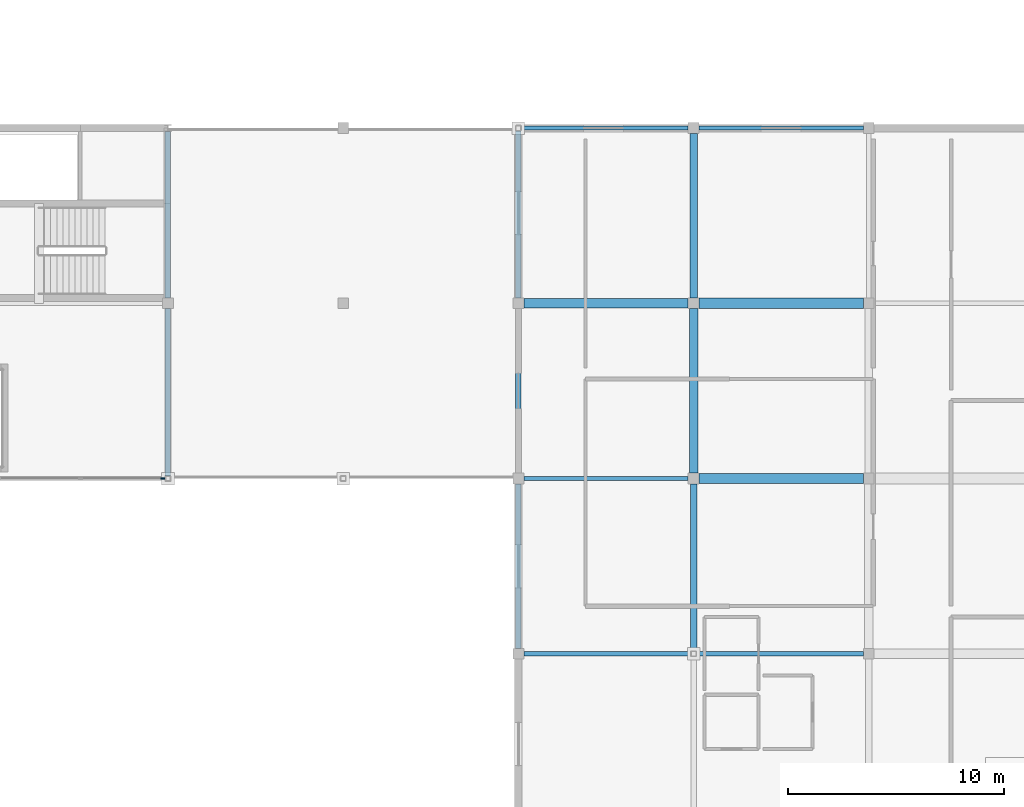
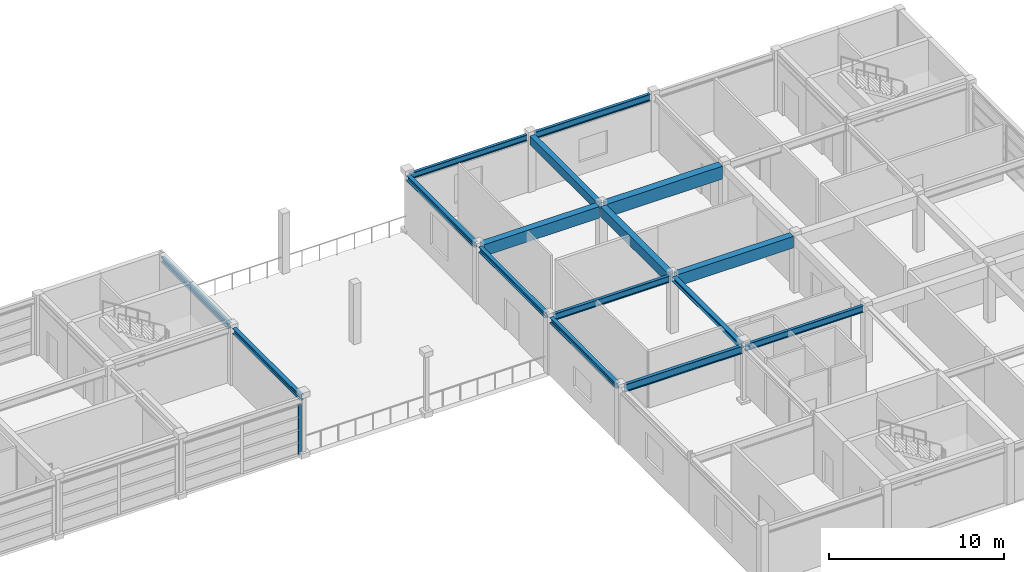
# One storey, part 32 of 54: 16 beams, 1 member, 1 element without a shape of its own.
"""IFC4 building model written with IfcOpenShell, lengths in metres."""

from ifc_helpers import new_model, si_unit, direction, frame, origin, origin_2d, place, context, subcontext, project, spatial, rectangle, i_section, extrude, material, material_profile, profile_set, type_object, element, aggregate, save


model = new_model("IFC4")

# Units and contexts
model_context = context("Model", 3, precision=1e-05, world=origin(), true_north=direction((0.0, 1.0)))
body_context = subcontext(model_context, "Body", "Model", "MODEL_VIEW")
ifc_project = project(units=[si_unit("LENGTHUNIT", "METRE"), si_unit("AREAUNIT", "SQUARE_METRE"), si_unit("VOLUMEUNIT", "CUBIC_METRE"), si_unit("PLANEANGLEUNIT", "RADIAN"), si_unit("MASSUNIT", "GRAM", prefix="KILO")], contexts=[model_context])

# Site, building, storey
site_placement = place(None, origin())
site = spatial("IfcSite", under=ifc_project, at=site_placement, CompositionType="ELEMENT")
building_placement = place(site_placement, origin())
building = spatial("IfcBuilding", under=site, at=building_placement, Name="Parian Resonance Hall", CompositionType="ELEMENT")
storey_placement = place(building_placement, frame((0.0, 0.0, 15.0)))
storey = spatial("IfcBuildingStorey", under=building, at=storey_placement, Name="L03", CompositionType="ELEMENT", Elevation=15.0)

# Beams
ifc_material_1 = material(Name="Concrete C40/50", Category="concrete")
ifc_material_profile_1 = material_profile(ifc_material_1, rectangle(XDim=0.35009765625, YDim=0.60009765625, at=origin_2d()), Name="RC-BM-350x600")
ifc_profile_set_1 = profile_set([ifc_material_profile_1], Name="Concrete C40/50")
beam_type_1 = type_object("IfcBeamType", Name="BM-RC350x600", PredefinedType="BEAM", material=ifc_profile_set_1)
beam_1_placement = place(storey_placement, frame((121.5, 81.25, 3.64990234375), z_axis=(0.0, 1.0, 0.0), x_axis=(-1.0, 0.0, 0.0)))
element("IfcBeam", 1, at=beam_1_placement, inside=storey, type_object=beam_type_1, Name="GY-L03-0900", PredefinedType="BEAM", context=body_context, shape_type="SweptSolid", body=[
    extrude(rectangle(XDim=0.35009765625, YDim=0.60009765625, at=origin_2d()), origin(), (0.0, 0.0, 1.0), 7.60009765625),
])
ifc_material_2 = material(Name="Concrete C40/50", Category="concrete")
ifc_material_profile_2 = material_profile(ifc_material_2, rectangle(XDim=0.39990234375, YDim=0.699951171875, at=origin_2d()), Name="RC-BM-400x700")
ifc_profile_set_2 = profile_set([ifc_material_profile_2], Name="Concrete C40/50")
beam_type_2 = type_object("IfcBeamType", Name="BM-RC400x700", PredefinedType="BEAM", material=ifc_profile_set_2)
beam_2_placement = place(storey_placement, frame((121.5, 73.14990234375, 3.60009765625), z_axis=(0.0, 1.0, 0.0), x_axis=(-1.0, 0.0, 0.0)))
element("IfcBeam", 2, at=beam_2_placement, inside=storey, type_object=beam_type_2, Name="GY-L03-0899", PredefinedType="BEAM", context=body_context, shape_type="SweptSolid", body=[
    extrude(rectangle(XDim=0.39990234375, YDim=0.699951171875, at=origin_2d()), origin(), (0.0, 0.0, 1.0), 7.60009765625),
])
ifc_material_3 = material(Name="Concrete C40/50", Category="concrete")
ifc_material_profile_3 = material_profile(ifc_material_3, rectangle(XDim=0.449951171875, YDim=0.800048828125, at=origin_2d()), Name="RC-BM-450x800")
ifc_profile_set_3 = profile_set([ifc_material_profile_3], Name="Concrete C40/50")
beam_type_3 = type_object("IfcBeamType", Name="BM-RC450x800", PredefinedType="USERDEFINED", material=ifc_profile_set_3)
for number, where, z_axis, x_axis, name in (
    (3, (113.64990234375, 81.0, 3.550048828125), (1.0, 0.0, 0.0), (0.0, 1.0, 0.0), "GX-L03-0844"),
    (4, (121.75, 72.89990234375, 3.550048828125), (1.0, 0.0, 0.0), (0.0, 1.0, 0.0), "GX-L03-0849"),
):
    element("IfcBeam", number, at=place(storey_placement, frame(where, z_axis=z_axis, x_axis=x_axis)), inside=storey, type_object=beam_type_3, Name=name, ObjectType="GIRDER", PredefinedType="USERDEFINED", context=body_context, shape_type="SweptSolid", body=[
        extrude(rectangle(XDim=0.449951171875, YDim=0.800048828125, at=origin_2d()), origin(), (0.0, 0.0, 1.0), 7.60009765625),
    ])
ifc_material_4 = material(Name="Concrete C40/50", Category="concrete")
ifc_material_profile_4 = material_profile(ifc_material_4, rectangle(XDim=0.5, YDim=0.89990234375, at=origin_2d()), Name="RC-BM-500x900")
ifc_profile_set_4 = profile_set([ifc_material_profile_4], Name="Concrete C40/50")
beam_type_4 = type_object("IfcBeamType", Name="BM-RC500x900", PredefinedType="USERDEFINED", material=ifc_profile_set_4)
beam_3_placement = place(storey_placement, frame((121.75, 81.0, 3.5), z_axis=(1.0, 0.0, 0.0), x_axis=(0.0, 1.0, 0.0)))
element("IfcBeam", 5, at=beam_3_placement, inside=storey, type_object=beam_type_4, Name="GX-L03-0850", ObjectType="GIRDER", PredefinedType="USERDEFINED", context=body_context, shape_type="SweptSolid", body=[
    extrude(rectangle(XDim=0.5, YDim=0.89990234375, at=origin_2d()), origin(), (0.0, 0.0, 1.0), 7.60009765625),
])
ifc_material_5 = material(Name="Steel S355", Category="steel")
ifc_material_profile_5 = material_profile(ifc_material_5, i_section(OverallWidth=0.304931640625, OverallDepth=0.30810546875, WebThickness=0.010009765625, FlangeThickness=0.015380859375, FilletRadius=0.01513671875, at=origin_2d()), Name="W310x97")
ifc_profile_set_5 = profile_set([ifc_material_profile_5], Name="Steel S355")
beam_type_5 = type_object("IfcBeamType", Name="BM-W310x97", PredefinedType="BEAM", material=ifc_profile_set_5)
beam_4_placement = place(storey_placement, frame((121.5, 64.925048828125, 3.7958984375), z_axis=(0.0, 1.0, 0.0), x_axis=(-1.0, 0.0, 0.0)))
element("IfcBeam", 6, at=beam_4_placement, inside=storey, type_object=beam_type_5, Name="GY-L03-0898", PredefinedType="BEAM", context=body_context, shape_type="SweptSolid", body=[
    extrude(i_section(OverallWidth=0.304931640625, OverallDepth=0.30810546875, WebThickness=0.010009765625, FlangeThickness=0.015380859375, FilletRadius=0.01513671875, at=origin_2d()), origin(), (0.0, 0.0, 1.0), 7.724853515625),
])
ifc_material_6 = material(Name="Steel S355", Category="steel")
ifc_material_profile_6 = material_profile(ifc_material_6, i_section(OverallWidth=0.2548828125, OverallDepth=0.35693359375, WebThickness=0.010498046875, FlangeThickness=0.018310546875, FilletRadius=0.01513671875, at=origin_2d()), Name="W360x101")
ifc_profile_set_6 = profile_set([ifc_material_profile_6], Name="Steel S355")
beam_type_6 = type_object("IfcBeamType", Name="BM-W360x101", PredefinedType="SPANDREL", material=ifc_profile_set_6)
beam_5_placement = place(storey_placement, frame((97.199951171875, 73.02490234375, 3.781494140625), z_axis=(0.0, 1.0, 0.0), x_axis=(-1.0, 0.0, 0.0)))
element("IfcBeam", 7, at=beam_5_placement, inside=storey, type_object=beam_type_6, Name="GY-L03-0889", PredefinedType="SPANDREL", context=body_context, shape_type="SweptSolid", body=[
    extrude(i_section(OverallWidth=0.2548828125, OverallDepth=0.35693359375, WebThickness=0.010498046875, FlangeThickness=0.018310546875, FilletRadius=0.01513671875, at=origin_2d()), origin(), (0.0, 0.0, 1.0), 7.72509765625),
])
beam_6_placement = place(storey_placement, frame((97.199951171875, 81.25, 3.781494140625), z_axis=(0.0, 1.0, 0.0), x_axis=(-1.0, 0.0, 0.0)))
element("IfcBeam", 8, at=beam_6_placement, inside=storey, type_object=beam_type_6, Name="GY-L03-0890", PredefinedType="SPANDREL", context=body_context, shape_type="SweptSolid", body=[
    extrude(i_section(OverallWidth=0.2548828125, OverallDepth=0.35693359375, WebThickness=0.010498046875, FlangeThickness=0.018310546875, FilletRadius=0.01513671875, at=origin_2d()), origin(), (0.0, 0.0, 1.0), 7.696044921875),
])
beam_7_placement = place(storey_placement, frame((113.39990234375, 65.050048828125, 3.771484375), z_axis=(0.0, 1.0, 0.0), x_axis=(-1.0, 0.0, 0.0)))
element("IfcBeam", 9, at=beam_7_placement, inside=storey, type_object=beam_type_6, Name="GY-L03-0893", PredefinedType="SPANDREL", context=body_context, shape_type="SweptSolid", body=[
    extrude(i_section(OverallWidth=0.2548828125, OverallDepth=0.35693359375, WebThickness=0.010498046875, FlangeThickness=0.018310546875, FilletRadius=0.01513671875, at=origin_2d()), origin(), (0.0, 0.0, 1.0), 7.599853515625),
])
beam_8_placement = place(storey_placement, frame((113.39990234375, 73.14990234375, 3.771484375), z_axis=(0.0, 1.0, 0.0), x_axis=(-1.0, 0.0, 0.0)))
element("IfcBeam", 10, at=beam_8_placement, inside=storey, type_object=beam_type_6, Name="GY-L03-0894", PredefinedType="SPANDREL", context=body_context, shape_type="SweptSolid", body=[
    extrude(i_section(OverallWidth=0.2548828125, OverallDepth=0.35693359375, WebThickness=0.010498046875, FlangeThickness=0.018310546875, FilletRadius=0.01513671875, at=origin_2d()), origin(), (0.0, 0.0, 1.0), 7.60009765625),
])
beam_9_placement = place(storey_placement, frame((113.39990234375, 81.25, 3.771484375), z_axis=(0.0, 1.0, 0.0), x_axis=(-1.0, 0.0, 0.0)))
element("IfcBeam", 11, at=beam_9_placement, inside=storey, type_object=beam_type_6, Name="GY-L03-0895", PredefinedType="SPANDREL", context=body_context, shape_type="SweptSolid", body=[
    extrude(i_section(OverallWidth=0.2548828125, OverallDepth=0.35693359375, WebThickness=0.010498046875, FlangeThickness=0.018310546875, FilletRadius=0.01513671875, at=origin_2d()), origin(), (0.0, 0.0, 1.0), 7.72509765625),
])
ifc_material_7 = material(Name="Steel S355", Category="steel")
ifc_material_profile_7 = material_profile(ifc_material_7, i_section(OverallWidth=0.180908203125, OverallDepth=0.4169921875, WebThickness=0.010986328125, FlangeThickness=0.018310546875, FilletRadius=0.01513671875, at=origin_2d()), Name="W410x85")
ifc_profile_set_7 = profile_set([ifc_material_profile_7], Name="Steel S355")
beam_type_7 = type_object("IfcBeamType", Name="BM-W410x85", PredefinedType="SPANDREL", material=ifc_profile_set_7)
beam_10_placement = place(storey_placement, frame((113.52490234375, 89.10009765625, 3.741455078125), z_axis=(1.0, 0.0, 0.0), x_axis=(0.0, 1.0, 0.0)))
element("IfcBeam", 12, at=beam_10_placement, inside=storey, type_object=beam_type_7, Name="GX-L03-0845", PredefinedType="SPANDREL", context=body_context, shape_type="SweptSolid", body=[
    extrude(i_section(OverallWidth=0.180908203125, OverallDepth=0.4169921875, WebThickness=0.010986328125, FlangeThickness=0.018310546875, FilletRadius=0.01513671875, at=origin_2d()), origin(), (0.0, 0.0, 1.0), 7.72509765625),
])
ifc_material_8 = material(Name="Steel S355", Category="steel")
ifc_material_profile_8 = material_profile(ifc_material_8, i_section(OverallWidth=0.194091796875, OverallDepth=0.468994140625, WebThickness=0.0126953125, FlangeThickness=0.0205078125, FilletRadius=0.01513671875, at=origin_2d()), Name="W460x106")
ifc_profile_set_8 = profile_set([ifc_material_profile_8], Name="Steel S355")
beam_type_8 = type_object("IfcBeamType", Name="BM-W460x106", PredefinedType="SPANDREL", material=ifc_profile_set_8)
beam_11_placement = place(storey_placement, frame((121.75, 89.10009765625, 3.715576171875), z_axis=(1.0, 0.0, 0.0), x_axis=(0.0, 1.0, 0.0)))
element("IfcBeam", 13, at=beam_11_placement, inside=storey, type_object=beam_type_8, Name="GX-L03-0851", PredefinedType="SPANDREL", context=body_context, shape_type="SweptSolid", body=[
    extrude(i_section(OverallWidth=0.194091796875, OverallDepth=0.468994140625, WebThickness=0.0126953125, FlangeThickness=0.0205078125, FilletRadius=0.01513671875, at=origin_2d()), origin(), (0.0, 0.0, 1.0), 7.60009765625),
])
ifc_material_9 = material(Name="Steel S355", Category="steel")
ifc_material_profile_9 = material_profile(ifc_material_9, i_section(OverallWidth=0.19091796875, OverallDepth=0.4599609375, WebThickness=0.010009765625, FlangeThickness=0.01611328125, FilletRadius=0.01513671875, at=origin_2d()), Name="W460x82")
ifc_profile_set_9 = profile_set([ifc_material_profile_9], Name="Steel S355")
beam_type_9 = type_object("IfcBeamType", Name="BM-W460x82", PredefinedType="BEAM", material=ifc_profile_set_9)
beam_12_placement = place(storey_placement, frame((113.64990234375, 72.89990234375, 3.719970703125), z_axis=(1.0, 0.0, 0.0), x_axis=(0.0, 1.0, 0.0)))
element("IfcBeam", 14, at=beam_12_placement, inside=storey, type_object=beam_type_9, Name="GX-L03-0843", PredefinedType="BEAM", context=body_context, shape_type="SweptSolid", body=[
    extrude(i_section(OverallWidth=0.19091796875, OverallDepth=0.4599609375, WebThickness=0.010009765625, FlangeThickness=0.01611328125, FilletRadius=0.01513671875, at=origin_2d()), origin(), (0.0, 0.0, 1.0), 7.60009765625),
])
beam_13_placement = place(storey_placement, frame((121.625, 64.800048828125, 3.719970703125), z_axis=(1.0, 0.0, 0.0), x_axis=(0.0, 1.0, 0.0)))
element("IfcBeam", 15, at=beam_13_placement, inside=storey, type_object=beam_type_9, Name="GX-L03-0848", PredefinedType="BEAM", context=body_context, shape_type="SweptSolid", body=[
    extrude(i_section(OverallWidth=0.19091796875, OverallDepth=0.4599609375, WebThickness=0.010009765625, FlangeThickness=0.01611328125, FilletRadius=0.01513671875, at=origin_2d()), origin(), (0.0, 0.0, 1.0), 7.72509765625),
])
ifc_material_10 = material(Name="Steel S355", Category="steel")
ifc_material_profile_10 = material_profile(ifc_material_10, i_section(OverallWidth=0.208984375, OverallDepth=0.532958984375, WebThickness=0.01025390625, FlangeThickness=0.015625, FilletRadius=0.017822265625, at=origin_2d()), Name="W530x92")
ifc_profile_set_10 = profile_set([ifc_material_profile_10], Name="Steel S355")
beam_type_10 = type_object("IfcBeamType", Name="BM-W530x92", PredefinedType="BEAM", material=ifc_profile_set_10)
beam_14_placement = place(storey_placement, frame((113.64990234375, 64.800048828125, 3.68359375), z_axis=(1.0, 0.0, 0.0), x_axis=(0.0, 1.0, 0.0)))
element("IfcBeam", 16, at=beam_14_placement, inside=storey, type_object=beam_type_10, Name="GX-L03-0842", PredefinedType="BEAM", context=body_context, shape_type="SweptSolid", body=[
    extrude(i_section(OverallWidth=0.208984375, OverallDepth=0.532958984375, WebThickness=0.01025390625, FlangeThickness=0.015625, FilletRadius=0.017822265625, at=origin_2d()), origin(), (0.0, 0.0, 1.0), 7.72509765625),
])

# Curtain wall, member
ifc_material_11 = material(Name="Bronze-anodised aluminium frame", Category="aluminium")
curtain_wall_type = type_object("IfcCurtainWallType", Name="CW-SYS-02", PredefinedType="NOTDEFINED", material=ifc_material_11)
curtain_wall_placement = place(storey_placement, origin())
curtain_wall = element("IfcCurtainWall", 17, at=curtain_wall_placement, inside=storey, type_object=curtain_wall_type, Name="Curtain wall CW-L03-120", PredefinedType="NOTDEFINED")
ifc_material_12 = material(Name="Bronze-anodised aluminium frame", Category="aluminium")
ifc_material_profile_11 = material_profile(ifc_material_12, rectangle(XDim=0.074951171875, YDim=0.199951171875, at=origin_2d()), Name="CWM-75x200")
ifc_profile_set_11 = profile_set([ifc_material_profile_11], Name="Bronze-anodised aluminium frame")
member_type = type_object("IfcMemberType", Name="CWM-75x200", PredefinedType="MULLION", material=ifc_profile_set_11)
member_placement = place(storey_placement, frame((96.95751953125, 72.89990234375, -0.008056640625), z_axis=(0.0, 0.0, 1.0), x_axis=(0.0, -1.0, 0.0)))
member = element("IfcMember", 18, at=member_placement, type_object=member_type, Name="CW-02 mullion 1", PredefinedType="MULLION", context=body_context, shape_type="SweptSolid", body=[
    extrude(rectangle(XDim=0.074951171875, YDim=0.199951171875, at=origin_2d()), origin(), (0.0, 0.0, 1.0), 3.503173828125),
])
aggregate(curtain_wall, [member])

save(model, "model.ifc")
